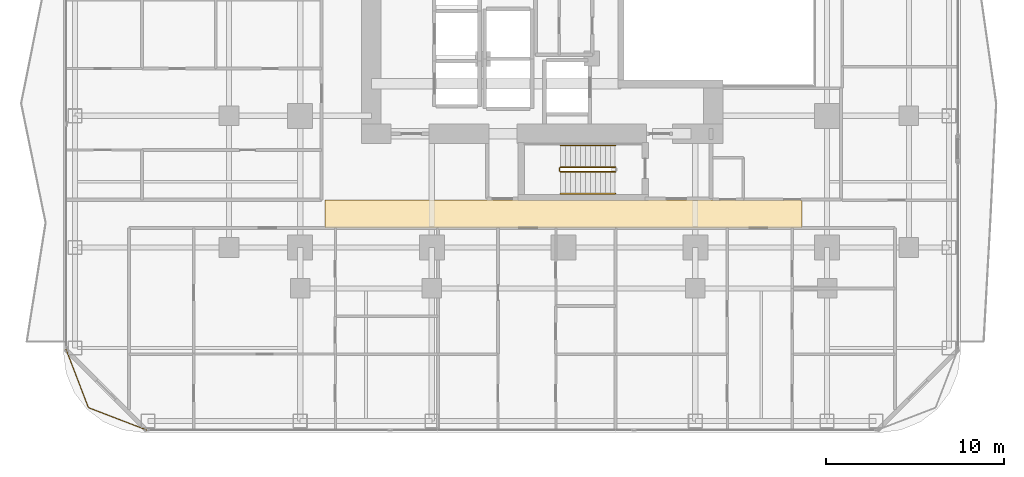
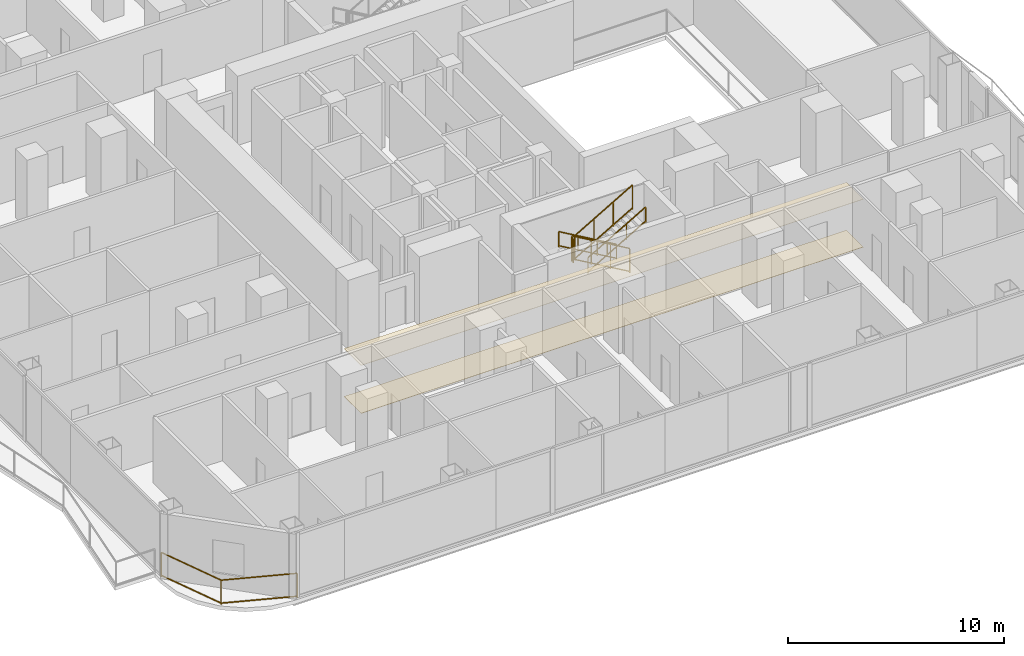
# One storey, part 25 of 29: 6 railings, 2 coverings.
"""IFC4 building model written with IfcOpenShell, lengths in metres."""

from ifc_helpers import new_model, si_unit, direction, frame, origin, origin_2d, place, context, subcontext, project, spatial, polyline, rectangle, outline, extrude, material, layer, layer_set, type_object, element, save


model = new_model("IFC4")

# Units and contexts
model_context = context("Model", 3, precision=1e-05, world=origin(), true_north=direction((0.0, 1.0)))
body_context = subcontext(model_context, "Body", "Model", "MODEL_VIEW")
ifc_project = project(units=[si_unit("LENGTHUNIT", "METRE"), si_unit("AREAUNIT", "SQUARE_METRE"), si_unit("VOLUMEUNIT", "CUBIC_METRE"), si_unit("PLANEANGLEUNIT", "RADIAN"), si_unit("MASSUNIT", "GRAM", prefix="KILO")], contexts=[model_context])

# Site, building, storey
site_placement = place(None, origin())
site = spatial("IfcSite", under=ifc_project, at=site_placement, CompositionType="ELEMENT")
building_placement = place(site_placement, origin())
building = spatial("IfcBuilding", under=site, at=building_placement, Name="Khorvyn Point Tower", CompositionType="ELEMENT")
storey_placement = place(building_placement, frame((0.0, 0.0, 69.60009765625)))
storey = spatial("IfcBuildingStorey", under=building, at=storey_placement, Name="L18", CompositionType="ELEMENT", Elevation=69.60009765625)

# Railing
ifc_material_1 = material(Name="Anodised aluminium 6063-T6 and laminated safety glass", Category="aluminium")
railing_type_1 = type_object("IfcRailingType", Name="Laminated Glass and Aluminium Balcony Guardrail 1400", PredefinedType="BALUSTRADE", material=ifc_material_1)
railing_1_placement = place(storey_placement, frame((-27.97412109375, -20.470703125, 0.0)))
element("IfcRailing", 1, at=railing_1_placement, inside=storey, type_object=railing_type_1, Name="L18 Rounded Corner Edge Guardrail SW", PredefinedType="BALUSTRADE", context=body_context, shape_type="SweptSolid", body=[
    extrude(rectangle(XDim=0.048095703125, YDim=0.048095703125, at=origin_2d()), frame((0.0, 0.0, 1.3759765625), z_axis=(0.35841886047, -0.933560882031, 0.0), x_axis=(0.933560882031, 0.35841886047, 0.0)), (0.0, 0.0, 1.0), 3.563232421875),
    extrude(rectangle(XDim=0.048095703125, YDim=0.048095703125, at=origin_2d()), frame((0.0, 0.0, 0.080078125), z_axis=(0.35841886047, -0.933560882031, 0.0), x_axis=(0.933560882031, 0.35841886047, 0.0)), (0.0, 0.0, 1.0), 3.563232421875),
    extrude(rectangle(XDim=0.048095703125, YDim=0.048095703125, at=origin_2d()), frame((1.277099609375, -3.326416015625, 1.3759765625), z_axis=(0.933575007025, -0.358382067435, 0.0), x_axis=(0.358382067435, 0.933575007025, 0.0)), (0.0, 0.0, 1.0), 3.562744140625),
    extrude(rectangle(XDim=0.048095703125, YDim=0.048095703125, at=origin_2d()), frame((1.277099609375, -3.326416015625, 0.080078125), z_axis=(0.933575007025, -0.358382067435, 0.0), x_axis=(0.358382067435, 0.933575007025, 0.0)), (0.0, 0.0, 1.0), 3.562744140625),
    extrude(rectangle(XDim=0.0419921875, YDim=0.0419921875, at=origin_2d()), origin(), (0.0, 0.0, 1.0), 1.351806640625),
    extrude(rectangle(XDim=0.0419921875, YDim=0.0419921875, at=origin_2d()), frame((1.277099609375, -3.326416015625, 0.0)), (0.0, 0.0, 1.0), 1.351806640625),
    extrude(rectangle(XDim=0.0419921875, YDim=0.0419921875, at=origin_2d()), frame((4.603271484375, -4.603271484375, 0.0)), (0.0, 0.0, 1.0), 1.351806640625),
])

# Coverings
ifc_material_2 = material(Name="Mineral-fibre acoustic ceiling board", Category="gypsum")
ifc_layer_1 = layer(ifc_material_2, 0.02001953125)
ifc_layer_set_1 = layer_set([ifc_layer_1], Name="Perforated Mineral-Fibre Acoustic Suspended Ceiling 20")
covering_type_1 = type_object("IfcCoveringType", Name="Perforated Mineral-Fibre Acoustic Suspended Ceiling 20", PredefinedType="CEILING", material=ifc_layer_set_1)
covering_1_placement = place(storey_placement, frame((0.0, 0.0, 2.699951171875)))
element("IfcCovering", 2, at=covering_1_placement, inside=storey, type_object=covering_type_1, Name="L18 South Corridor Acoustic Ceiling", PredefinedType="CEILING", context=body_context, shape_type="SweptSolid", body=[
    extrude(outline(polyline([(-13.39990234375, -13.7099609375), (13.39990234375, -13.7099609375), (13.39990234375, -12.139892578125), (-13.39990234375, -12.139892578125), (-13.39990234375, -13.7099609375)])), origin(), (0.0, 0.0, 1.0), 0.02001953125),
])
ifc_material_3 = material(Name="Vitrified porcelain terrazzo tile", Category="ceramic")
ifc_layer_2 = layer(ifc_material_3, 0.01806640625)
ifc_layer_set_2 = layer_set([ifc_layer_2], Name="Porcelain Terrazzo Corridor Floor Finish Tile 18")
covering_type_2 = type_object("IfcCoveringType", Name="Porcelain Terrazzo Corridor Floor Finish Tile 18", PredefinedType="FLOORING", material=ifc_layer_set_2)
covering_2_placement = place(storey_placement, origin())
element("IfcCovering", 3, at=covering_2_placement, inside=storey, type_object=covering_type_2, Name="L18 South Corridor Terrazzo Flooring", PredefinedType="FLOORING", context=body_context, shape_type="SweptSolid", body=[
    extrude(outline(polyline([(-13.39990234375, -13.7099609375), (13.39990234375, -13.7099609375), (13.39990234375, -12.139892578125), (-13.39990234375, -12.139892578125), (-13.39990234375, -13.7099609375)])), origin(), (0.0, 0.0, 1.0), 0.017822265625),
])

# Railings
ifc_material_4 = material(Name="Stainless steel 1.4301", Category="steel")
railing_type_2 = type_object("IfcRailingType", Name="Stainless Steel 304 Stair Pitch Handrail 900", PredefinedType="HANDRAIL", material=ifc_material_4)
railing_2_placement = place(storey_placement, frame((2.89990234375, -9.070068359375, 0.162353515625)))
element("IfcRailing", 4, at=railing_2_placement, inside=storey, type_object=railing_type_2, Name="L18 ST-01 stair handrail 1", PredefinedType="HANDRAIL", context=body_context, shape_type="SweptSolid", body=[
    extrude(rectangle(XDim=0.048095703125, YDim=0.048095703125, at=origin_2d()), frame((0.0, 0.0, 0.8759765625), z_axis=(-0.864873446163, 0.0, 0.501989962173), x_axis=(0.0, -1.0, 0.0)), (0.0, 0.0, 1.0), 3.56103515625),
    extrude(rectangle(XDim=0.048095703125, YDim=0.048095703125, at=origin_2d()), frame((0.0, 0.0, 0.080078125), z_axis=(-0.864873446163, 0.0, 0.501989962173), x_axis=(0.0, -1.0, 0.0)), (0.0, 0.0, 1.0), 3.56103515625),
    extrude(rectangle(XDim=0.0419921875, YDim=0.0419921875, at=origin_2d()), origin(), (0.0, 0.0, 1.0), 0.851806640625),
    extrude(rectangle(XDim=0.0419921875, YDim=0.0419921875, at=origin_2d()), frame((-1.026611328125, 0.0, 0.595947265625)), (0.0, 0.0, 1.0), 0.851806640625),
    extrude(rectangle(XDim=0.0419921875, YDim=0.0419921875, at=origin_2d()), frame((-2.05322265625, 0.0, 1.191650390625)), (0.0, 0.0, 1.0), 0.851806640625),
    extrude(rectangle(XDim=0.0419921875, YDim=0.0419921875, at=origin_2d()), frame((-3.079833984375, 0.0, 1.78759765625)), (0.0, 0.0, 1.0), 0.851806640625),
])
railing_3_placement = place(storey_placement, frame((-0.179931640625, -11.77001953125, 2.1123046875)))
element("IfcRailing", 5, at=railing_3_placement, inside=storey, type_object=railing_type_2, Name="L18 ST-01 stair handrail 2", PredefinedType="HANDRAIL", context=body_context, shape_type="SweptSolid", body=[
    extrude(rectangle(XDim=0.048095703125, YDim=0.048095703125, at=origin_2d()), frame((0.0, 0.0, 0.8759765625), z_axis=(0.864873446163, 0.0, 0.501989962173), x_axis=(0.0, 1.0, 0.0)), (0.0, 0.0, 1.0), 3.56103515625),
    extrude(rectangle(XDim=0.048095703125, YDim=0.048095703125, at=origin_2d()), frame((0.0, 0.0, 0.080078125), z_axis=(0.864873446163, 0.0, 0.501989962173), x_axis=(0.0, 1.0, 0.0)), (0.0, 0.0, 1.0), 3.56103515625),
    extrude(rectangle(XDim=0.0419921875, YDim=0.0419921875, at=origin_2d()), origin(), (0.0, 0.0, 1.0), 0.851806640625),
    extrude(rectangle(XDim=0.0419921875, YDim=0.0419921875, at=origin_2d()), frame((1.026611328125, 0.0, 0.595947265625)), (0.0, 0.0, 1.0), 0.851806640625),
    extrude(rectangle(XDim=0.0419921875, YDim=0.0419921875, at=origin_2d()), frame((2.05322265625, 0.0, 1.191650390625)), (0.0, 0.0, 1.0), 0.851806640625),
    extrude(rectangle(XDim=0.0419921875, YDim=0.0419921875, at=origin_2d()), frame((3.079833984375, 0.0, 1.78759765625)), (0.0, 0.0, 1.0), 0.851806640625),
])
railing_type_3 = type_object("IfcRailingType", Name="Stainless Steel 304 Stair Well Guardrail 1400", PredefinedType="GUARDRAIL", material=ifc_material_4)
railing_4_placement = place(storey_placement, frame((2.89990234375, -10.2900390625, 0.162353515625)))
element("IfcRailing", 6, at=railing_4_placement, inside=storey, type_object=railing_type_3, Name="L18 ST-01 stair guard 1", PredefinedType="GUARDRAIL", context=body_context, shape_type="SweptSolid", body=[
    extrude(rectangle(XDim=0.048095703125, YDim=0.048095703125, at=origin_2d()), frame((0.0, 0.0, 1.3759765625), z_axis=(-0.864873446163, 0.0, 0.501989962173), x_axis=(0.0, -1.0, 0.0)), (0.0, 0.0, 1.0), 3.56103515625),
    extrude(rectangle(XDim=0.048095703125, YDim=0.048095703125, at=origin_2d()), frame((0.0, 0.0, 0.080078125), z_axis=(-0.864873446163, 0.0, 0.501989962173), x_axis=(0.0, -1.0, 0.0)), (0.0, 0.0, 1.0), 3.56103515625),
    extrude(rectangle(XDim=0.0419921875, YDim=0.0419921875, at=origin_2d()), origin(), (0.0, 0.0, 1.0), 1.351806640625),
    extrude(rectangle(XDim=0.0419921875, YDim=0.0419921875, at=origin_2d()), frame((-1.026611328125, 0.0, 0.595947265625)), (0.0, 0.0, 1.0), 1.351806640625),
    extrude(rectangle(XDim=0.0419921875, YDim=0.0419921875, at=origin_2d()), frame((-2.05322265625, 0.0, 1.191650390625)), (0.0, 0.0, 1.0), 1.351806640625),
    extrude(rectangle(XDim=0.0419921875, YDim=0.0419921875, at=origin_2d()), frame((-3.079833984375, 0.0, 1.78759765625)), (0.0, 0.0, 1.0), 1.351806640625),
])
railing_5_placement = place(storey_placement, frame((-0.22998046875, -10.340087890625, 1.949951171875)))
element("IfcRailing", 7, at=railing_5_placement, inside=storey, type_object=railing_type_3, Name="L18 ST-01 stair guard 2", PredefinedType="GUARDRAIL", context=body_context, shape_type="SweptSolid", body=[
    extrude(rectangle(XDim=0.048095703125, YDim=0.048095703125, at=origin_2d()), frame((0.0, 0.0, 1.3759765625), z_axis=(0.0, -1.0, 0.0), x_axis=(1.0, 0.0, 0.0)), (0.0, 0.0, 1.0), 0.159912109375),
    extrude(rectangle(XDim=0.048095703125, YDim=0.048095703125, at=origin_2d()), frame((0.0, 0.0, 0.080078125), z_axis=(0.0, -1.0, 0.0), x_axis=(1.0, 0.0, 0.0)), (0.0, 0.0, 1.0), 0.159912109375),
    extrude(rectangle(XDim=0.0419921875, YDim=0.0419921875, at=origin_2d()), origin(), (0.0, 0.0, 1.0), 1.351806640625),
    extrude(rectangle(XDim=0.0419921875, YDim=0.0419921875, at=origin_2d()), frame((0.0, -0.159912109375, 0.0)), (0.0, 0.0, 1.0), 1.351806640625),
])
railing_6_placement = place(storey_placement, frame((-0.179931640625, -10.550048828125, 2.1123046875)))
element("IfcRailing", 8, at=railing_6_placement, inside=storey, type_object=railing_type_3, Name="L18 ST-01 stair guard 3", PredefinedType="GUARDRAIL", context=body_context, shape_type="SweptSolid", body=[
    extrude(rectangle(XDim=0.048095703125, YDim=0.048095703125, at=origin_2d()), frame((0.0, 0.0, 1.3759765625), z_axis=(0.864873446163, 0.0, 0.501989962173), x_axis=(0.0, 1.0, 0.0)), (0.0, 0.0, 1.0), 3.56103515625),
    extrude(rectangle(XDim=0.048095703125, YDim=0.048095703125, at=origin_2d()), frame((0.0, 0.0, 0.080078125), z_axis=(0.864873446163, 0.0, 0.501989962173), x_axis=(0.0, 1.0, 0.0)), (0.0, 0.0, 1.0), 3.56103515625),
    extrude(rectangle(XDim=0.0419921875, YDim=0.0419921875, at=origin_2d()), origin(), (0.0, 0.0, 1.0), 1.351806640625),
    extrude(rectangle(XDim=0.0419921875, YDim=0.0419921875, at=origin_2d()), frame((1.026611328125, 0.0, 0.595947265625)), (0.0, 0.0, 1.0), 1.351806640625),
    extrude(rectangle(XDim=0.0419921875, YDim=0.0419921875, at=origin_2d()), frame((2.05322265625, 0.0, 1.191650390625)), (0.0, 0.0, 1.0), 1.351806640625),
    extrude(rectangle(XDim=0.0419921875, YDim=0.0419921875, at=origin_2d()), frame((3.079833984375, 0.0, 1.78759765625)), (0.0, 0.0, 1.0), 1.351806640625),
])

save(model, "model.ifc")
